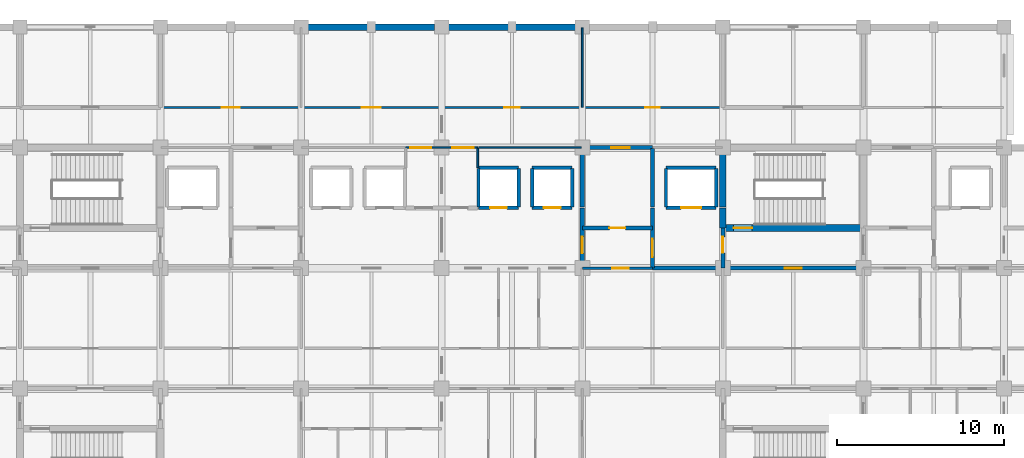
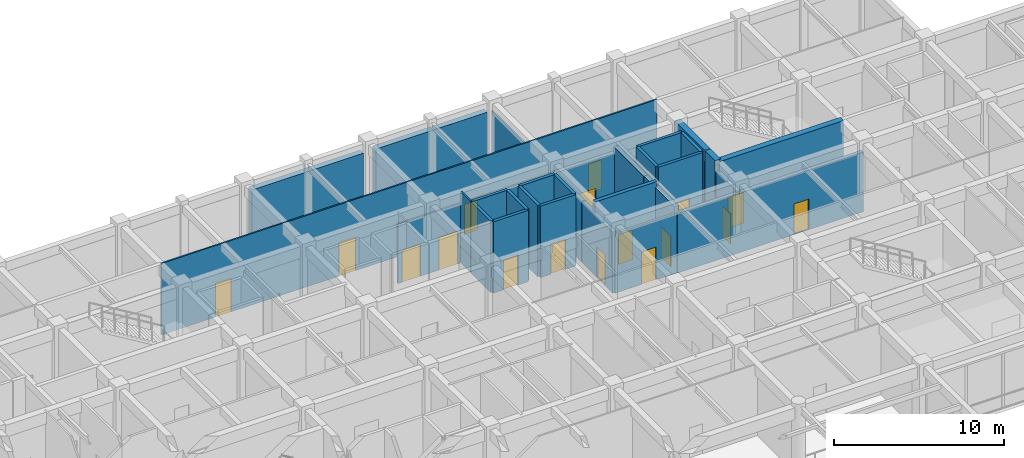
# One storey, part 43 of 58: 31 walls, 17 doors, 17 openings.
"""IFC4 building model written with IfcOpenShell, lengths in metres."""

from ifc_helpers import new_model, si_unit, direction, frame, frame_2d, origin, place, context, subcontext, project, spatial, rectangle, extrude, material, layer, layer_set, type_object, element, fill, save


model = new_model("IFC4")

# Units and contexts
model_context = context("Model", 3, precision=1e-05, world=origin(), true_north=direction((0.0, 1.0)))
body_context = subcontext(model_context, "Body", "Model", "MODEL_VIEW")
ifc_project = project(units=[si_unit("LENGTHUNIT", "METRE"), si_unit("AREAUNIT", "SQUARE_METRE"), si_unit("VOLUMEUNIT", "CUBIC_METRE"), si_unit("PLANEANGLEUNIT", "RADIAN"), si_unit("MASSUNIT", "GRAM", prefix="KILO")], contexts=[model_context])

# Site, building, storey
site_placement = place(None, origin())
site = spatial("IfcSite", under=ifc_project, at=site_placement, CompositionType="ELEMENT")
building_placement = place(site_placement, origin())
building = spatial("IfcBuilding", under=site, at=building_placement, Name="Chengyuan Square Courthouse", CompositionType="ELEMENT")
storey_placement = place(building_placement, frame((0.0, 0.0, 16.199951171875)))
storey = spatial("IfcBuildingStorey", under=building, at=storey_placement, Name="L04", CompositionType="ELEMENT", Elevation=16.199951171875)

# Walls
ifc_material_1 = material(Name="Concrete C40", Category="concrete")
ifc_layer_1 = layer(ifc_material_1, 0.3798828125)
ifc_layer_set_1 = layer_set([ifc_layer_1], Name="Concrete C40")
wall_type_1 = type_object("IfcWallType", Name="WL-EW1", PredefinedType="STANDARD", material=ifc_layer_set_1)
for number, where, z_axis, x_axis, name in (
    (1, (76.02001953125, 115.199951171875, 0.0), (0.0, 0.0, 1.0), (1.0, 0.0, 0.0), "Exterior Wall WL-L04-E318"),
    (2, (84.419921875, 115.199951171875, 0.0), (0.0, 0.0, 1.0), (1.0, 0.0, 0.0), "Exterior Wall WL-L04-E319"),
):
    element("IfcWall", number, at=place(storey_placement, frame(where, z_axis=z_axis, x_axis=x_axis)), inside=storey, type_object=wall_type_1, Name=name, PredefinedType="STANDARD", context=body_context, shape_type="SweptSolid", body=[
        extrude(rectangle(XDim=7.56005859375, YDim=0.3798828125, at=frame_2d((3.780029296875, 0.0))), origin(), (0.0, 0.0, 1.0), 4.469970703125),
    ])

# Wall, opening, door
ifc_layer_2 = layer(ifc_material_1, 0.25)
ifc_layer_set_2 = layer_set([ifc_layer_2], Name="Concrete C40")
wall_type_2 = type_object("IfcWallType", Name="WL-FW1", PredefinedType="STANDARD", material=ifc_layer_set_2)
wall_1_placement = place(storey_placement, frame((96.60009765625, 100.800048828125, 0.0), z_axis=(0.0, 0.0, 1.0), x_axis=(1.0, 0.0, 0.0)))
wall_1 = element("IfcWall", 3, at=wall_1_placement, inside=storey, type_object=wall_type_2, Name="Interior Wall WL-L04-I1849", PredefinedType="STANDARD", context=body_context, shape_type="SweptSolid", body=[
    extrude(rectangle(XDim=12.599853515625, YDim=0.25, at=frame_2d((6.2998046875, 0.0))), origin(), (0.0, 0.0, 1.0), 4.27001953125),
])
opening_1_placement = place(wall_1_placement, frame((7.89990234375, 0.0, 0.0)))
opening_1 = element("IfcOpeningElement", 4, at=opening_1_placement, cuts=wall_1, Name="Opening DR-1638", PredefinedType="OPENING", context=body_context, shape_type="SweptSolid", body=[
    extrude(rectangle(XDim=1.0, YDim=2.199951171875, at=frame_2d((0.5, 1.10009765625))), frame((0.0, 0.136962890625, 0.0), z_axis=(0.0, -1.0, 0.0), x_axis=(1.0, 0.0, 0.0)), (0.0, 0.0, 1.0), 0.27392578125),
])
ifc_material_2 = material(Name="Steel Q235B Fire Door", Category="steel")
door_type_1 = type_object("IfcDoorType", Name="DT-11", OperationType="NOTDEFINED", PredefinedType="DOOR", material=ifc_material_2)
door_1_placement = place(opening_1_placement, origin())
door_1 = element("IfcDoor", 5, at=door_1_placement, inside=storey, type_object=door_type_1, Name="Interior Door DR-1638", OperationType="SINGLE_SWING_RIGHT", OverallHeight=2.199951171875, OverallWidth=1.0, PredefinedType="DOOR", context=body_context, shape_type="SweptSolid", body=[
    extrude(rectangle(XDim=1.0, YDim=2.199951171875, at=frame_2d((0.5, 1.10009765625))), frame((0.0, 0.02490234375, 0.0), z_axis=(0.0, -1.0, 0.0), x_axis=(1.0, 0.0, 0.0)), (0.0, 0.0, 1.0), 0.050048828125),
])
fill(opening_1, door_1)

wall_2_placement = place(storey_placement, frame((92.39990234375, 103.199951171875, 0.0), z_axis=(0.0, 0.0, 1.0), x_axis=(1.0, 0.0, 0.0)))
wall_2 = element("IfcWall", 6, at=wall_2_placement, inside=storey, type_object=wall_type_2, Name="Interior Wall WL-L04-I1864", PredefinedType="STANDARD", context=body_context, shape_type="SweptSolid", body=[
    extrude(rectangle(XDim=4.2001953125, YDim=0.25, at=frame_2d((2.10009765625, 0.0))), origin(), (0.0, 0.0, 1.0), 5.1201171875),
])
opening_2_placement = place(wall_2_placement, frame((1.625, 0.0, 0.0)))
opening_2 = element("IfcOpeningElement", 7, at=opening_2_placement, cuts=wall_2, Name="Opening DR-1672", PredefinedType="OPENING", context=body_context, shape_type="SweptSolid", body=[
    extrude(rectangle(XDim=0.949951171875, YDim=2.14990234375, at=frame_2d((0.47509765625, 1.074951171875))), frame((0.0, 0.136962890625, 0.0), z_axis=(0.0, -1.0, 0.0), x_axis=(1.0, 0.0, 0.0)), (0.0, 0.0, 1.0), 0.27392578125),
])
door_type_2 = type_object("IfcDoorType", Name="DT-12", OperationType="NOTDEFINED", PredefinedType="DOOR", material=ifc_material_2)
door_2_placement = place(opening_2_placement, origin())
door_2 = element("IfcDoor", 8, at=door_2_placement, inside=storey, type_object=door_type_2, Name="Interior Door DR-1672", OperationType="SINGLE_SWING_RIGHT", OverallHeight=2.14990234375, OverallWidth=0.949951171875, PredefinedType="DOOR", context=body_context, shape_type="SweptSolid", body=[
    extrude(rectangle(XDim=0.949951171875, YDim=2.14990234375, at=frame_2d((0.47509765625, 1.074951171875))), frame((0.0, 0.02490234375, 0.0), z_axis=(0.0, -1.0, 0.0), x_axis=(1.0, 0.0, 0.0)), (0.0, 0.0, 1.0), 0.050048828125),
])
fill(opening_2, door_2)

wall_3_placement = place(storey_placement, frame((92.39990234375, 108.0, 0.0), z_axis=(0.0, 0.0, 1.0), x_axis=(1.0, 0.0, 0.0)))
wall_3 = element("IfcWall", 9, at=wall_3_placement, inside=storey, type_object=wall_type_2, Name="Interior Wall WL-L04-I1900", PredefinedType="STANDARD", context=body_context, shape_type="SweptSolid", body=[
    extrude(rectangle(XDim=4.2001953125, YDim=0.25, at=frame_2d((2.10009765625, 0.0))), origin(), (0.0, 0.0, 1.0), 4.27001953125),
])
opening_3_placement = place(wall_3_placement, frame((1.735107421875, 0.0, 0.0)))
opening_3 = element("IfcOpeningElement", 10, at=opening_3_placement, cuts=wall_3, Name="Opening DR-1676", PredefinedType="OPENING", context=body_context, shape_type="SweptSolid", body=[
    extrude(rectangle(XDim=1.10009765625, YDim=2.199951171875, at=frame_2d((0.550048828125, 1.10009765625))), frame((0.0, 0.136962890625, 0.0), z_axis=(0.0, -1.0, 0.0), x_axis=(1.0, 0.0, 0.0)), (0.0, 0.0, 1.0), 0.27392578125),
])
door_type_3 = type_object("IfcDoorType", Name="DT-10", OperationType="NOTDEFINED", PredefinedType="DOOR", material=ifc_material_2)
door_3_placement = place(opening_3_placement, origin())
door_3 = element("IfcDoor", 11, at=door_3_placement, inside=storey, type_object=door_type_3, Name="Interior Door DR-1676", OperationType="SINGLE_SWING_RIGHT", OverallHeight=2.199951171875, OverallWidth=1.10009765625, PredefinedType="DOOR", context=body_context, shape_type="SweptSolid", body=[
    extrude(rectangle(XDim=1.10009765625, YDim=2.199951171875, at=frame_2d((0.550048828125, 1.10009765625))), frame((0.0, 0.02490234375, 0.0), z_axis=(0.0, -1.0, 0.0), x_axis=(1.0, 0.0, 0.0)), (0.0, 0.0, 1.0), 0.050048828125),
])
fill(opening_3, door_3)

wall_4_placement = place(storey_placement, frame((92.39990234375, 100.800048828125, 0.0), z_axis=(0.0, 0.0, 1.0), x_axis=(0.0, 1.0, 0.0)))
wall_4 = element("IfcWall", 12, at=wall_4_placement, inside=storey, type_object=wall_type_2, Name="Interior Wall WL-L04-I2019", PredefinedType="STANDARD", context=body_context, shape_type="SweptSolid", body=[
    extrude(rectangle(XDim=3.599853515625, YDim=0.25, at=frame_2d((1.7998046875, 0.0))), origin(), (0.0, 0.0, 1.0), 4.3701171875),
])
opening_4_placement = place(wall_4_placement, frame((0.885009765625, 0.0, 0.0)))
opening_4 = element("IfcOpeningElement", 13, at=opening_4_placement, cuts=wall_4, Name="Opening DR-1674", PredefinedType="OPENING", context=body_context, shape_type="SweptSolid", body=[
    extrude(rectangle(XDim=1.0, YDim=2.199951171875, at=frame_2d((0.5, 1.10009765625))), frame((0.0, 0.136962890625, 0.0), z_axis=(0.0, -1.0, 0.0), x_axis=(1.0, 0.0, 0.0)), (0.0, 0.0, 1.0), 0.27392578125),
])
door_4_placement = place(opening_4_placement, origin())
door_4 = element("IfcDoor", 14, at=door_4_placement, inside=storey, type_object=door_type_1, Name="Interior Door DR-1674", OperationType="SINGLE_SWING_RIGHT", OverallHeight=2.199951171875, OverallWidth=1.0, PredefinedType="DOOR", context=body_context, shape_type="SweptSolid", body=[
    extrude(rectangle(XDim=1.0, YDim=2.199951171875, at=frame_2d((0.5, 1.10009765625))), frame((0.0, 0.02490234375, 0.0), z_axis=(0.0, -1.0, 0.0), x_axis=(1.0, 0.0, 0.0)), (0.0, 0.0, 1.0), 0.050048828125),
])
fill(opening_4, door_4)

# Wall
wall_5_placement = place(storey_placement, frame((92.39990234375, 104.449951171875, 0.0), z_axis=(0.0, 0.0, 1.0), x_axis=(0.0, 1.0, 0.0)))
element("IfcWall", 15, at=wall_5_placement, inside=storey, type_object=wall_type_2, Name="Interior Wall WL-L04-I2020", PredefinedType="STANDARD", context=body_context, shape_type="SweptSolid", body=[
    extrude(rectangle(XDim=3.5, YDim=0.25, at=frame_2d((1.75, 0.0))), origin(), (0.0, 0.0, 1.0), 4.3701171875),
])

# Wall, opening, door
wall_6_placement = place(storey_placement, frame((96.60009765625, 100.800048828125, 0.0), z_axis=(0.0, 0.0, 1.0), x_axis=(0.0, 1.0, 0.0)))
wall_6 = element("IfcWall", 16, at=wall_6_placement, inside=storey, type_object=wall_type_2, Name="Interior Wall WL-L04-I2024", PredefinedType="STANDARD", context=body_context, shape_type="SweptSolid", body=[
    extrude(rectangle(XDim=3.599853515625, YDim=0.25, at=frame_2d((1.7998046875, 0.0))), origin(), (0.0, 0.0, 1.0), 4.719970703125),
])
opening_5_placement = place(wall_6_placement, frame((0.64990234375, 0.0, 0.0)))
opening_5 = element("IfcOpeningElement", 17, at=opening_5_placement, cuts=wall_6, Name="Opening DR-1673", PredefinedType="OPENING", context=body_context, shape_type="SweptSolid", body=[
    extrude(rectangle(XDim=1.10009765625, YDim=2.199951171875, at=frame_2d((0.550048828125, 1.10009765625))), frame((0.0, 0.136962890625, 0.0), z_axis=(0.0, -1.0, 0.0), x_axis=(1.0, 0.0, 0.0)), (0.0, 0.0, 1.0), 0.27392578125),
])
door_5_placement = place(opening_5_placement, origin())
door_5 = element("IfcDoor", 18, at=door_5_placement, inside=storey, type_object=door_type_3, Name="Interior Door DR-1673", OperationType="SINGLE_SWING_LEFT", OverallHeight=2.199951171875, OverallWidth=1.10009765625, PredefinedType="DOOR", context=body_context, shape_type="SweptSolid", body=[
    extrude(rectangle(XDim=1.10009765625, YDim=2.199951171875, at=frame_2d((0.550048828125, 1.10009765625))), frame((0.0, 0.02490234375, 0.0), z_axis=(0.0, -1.0, 0.0), x_axis=(1.0, 0.0, 0.0)), (0.0, 0.0, 1.0), 0.050048828125),
])
fill(opening_5, door_5)

# Wall
wall_7_placement = place(storey_placement, frame((96.60009765625, 104.449951171875, 0.0), z_axis=(0.0, 0.0, 1.0), x_axis=(0.0, 1.0, 0.0)))
element("IfcWall", 19, at=wall_7_placement, inside=storey, type_object=wall_type_2, Name="Interior Wall WL-L04-I2025", PredefinedType="STANDARD", context=body_context, shape_type="SweptSolid", body=[
    extrude(rectangle(XDim=3.5, YDim=0.25, at=frame_2d((1.75, 0.0))), origin(), (0.0, 0.0, 1.0), 4.719970703125),
])

# Wall, opening, door
wall_8_placement = place(storey_placement, frame((100.800048828125, 100.800048828125, 0.0), z_axis=(0.0, 0.0, 1.0), x_axis=(0.0, 1.0, 0.0)))
wall_8 = element("IfcWall", 20, at=wall_8_placement, inside=storey, type_object=wall_type_2, Name="Interior Wall WL-L04-I2035", PredefinedType="STANDARD", context=body_context, shape_type="SweptSolid", body=[
    extrude(rectangle(XDim=2.39990234375, YDim=0.25, at=frame_2d((1.199951171875, 0.0))), origin(), (0.0, 0.0, 1.0), 4.3701171875),
])
opening_6_placement = place(wall_8_placement, frame((0.909912109375, 0.0, 0.0)))
opening_6 = element("IfcOpeningElement", 21, at=opening_6_placement, cuts=wall_8, Name="Opening DR-1636", PredefinedType="OPENING", context=body_context, shape_type="SweptSolid", body=[
    extrude(rectangle(XDim=0.949951171875, YDim=2.14990234375, at=frame_2d((0.47509765625, 1.074951171875))), frame((0.0, 0.136962890625, 0.0), z_axis=(0.0, -1.0, 0.0), x_axis=(1.0, 0.0, 0.0)), (0.0, 0.0, 1.0), 0.27392578125),
])
door_6_placement = place(opening_6_placement, origin())
door_6 = element("IfcDoor", 22, at=door_6_placement, inside=storey, type_object=door_type_2, Name="Interior Door DR-1636", OperationType="SINGLE_SWING_RIGHT", OverallHeight=2.14990234375, OverallWidth=0.949951171875, PredefinedType="DOOR", context=body_context, shape_type="SweptSolid", body=[
    extrude(rectangle(XDim=0.949951171875, YDim=2.14990234375, at=frame_2d((0.47509765625, 1.074951171875))), frame((0.0, 0.02490234375, 0.0), z_axis=(0.0, -1.0, 0.0), x_axis=(1.0, 0.0, 0.0)), (0.0, 0.0, 1.0), 0.050048828125),
])
fill(opening_6, door_6)

ifc_material_3 = material(Name="Deliberation Room Sound-Insulated Partition")
ifc_layer_3 = layer(ifc_material_3, 0.14990234375)
ifc_layer_set_3 = layer_set([ifc_layer_3], Name="Deliberation Room Sound-Insulated Partition")
wall_type_3 = type_object("IfcWallType", Name="WL-PT3", PredefinedType="STANDARD", material=ifc_layer_set_3)
wall_9_placement = place(storey_placement, frame((92.39990234375, 100.800048828125, 0.0), z_axis=(0.0, 0.0, 1.0), x_axis=(1.0, 0.0, 0.0)))
wall_9 = element("IfcWall", 23, at=wall_9_placement, inside=storey, type_object=wall_type_3, Name="Interior Wall WL-L04-I1848", PredefinedType="STANDARD", context=body_context, shape_type="SweptSolid", body=[
    extrude(rectangle(XDim=4.2001953125, YDim=0.14990234375, at=frame_2d((2.10009765625, 0.0))), origin(), (0.0, 0.0, 1.0), 4.27001953125),
])
opening_7_placement = place(wall_9_placement, frame((1.794921875, 0.0, 0.0)))
opening_7 = element("IfcOpeningElement", 24, at=opening_7_placement, cuts=wall_9, Name="Opening DR-1675", PredefinedType="OPENING", context=body_context, shape_type="SweptSolid", body=[
    extrude(rectangle(XDim=0.97998046875, YDim=2.35009765625, at=frame_2d((0.489990234375, 1.175048828125))), frame((0.0, 0.0869140625, 0.0), z_axis=(0.0, -1.0, 0.0), x_axis=(1.0, 0.0, 0.0)), (0.0, 0.0, 1.0), 0.173828125),
])
ifc_material_4 = material(Name="Acoustic Solid-Core Timber Door", Category="wood")
door_type_4 = type_object("IfcDoorType", Name="DT-40", OperationType="NOTDEFINED", PredefinedType="DOOR", material=ifc_material_4)
door_7_placement = place(opening_7_placement, origin())
door_7 = element("IfcDoor", 25, at=door_7_placement, inside=storey, type_object=door_type_4, Name="Interior Door DR-1675", OperationType="SINGLE_SWING_LEFT", OverallHeight=2.35009765625, OverallWidth=0.97998046875, PredefinedType="DOOR", context=body_context, shape_type="SweptSolid", body=[
    extrude(rectangle(XDim=0.97998046875, YDim=2.35009765625, at=frame_2d((0.489990234375, 1.175048828125))), frame((0.0, 0.02490234375, 0.0), z_axis=(0.0, -1.0, 0.0), x_axis=(1.0, 0.0, 0.0)), (0.0, 0.0, 1.0), 0.050048828125),
])
fill(opening_7, door_7)

# Wall, openings, doors
ifc_material_5 = material(Name="Gypsum Plasterboard Acoustic Stud Partition")
ifc_layer_4 = layer(ifc_material_5, 0.10009765625)
ifc_layer_set_4 = layer_set([ifc_layer_4], Name="Gypsum Plasterboard Acoustic Stud Partition")
wall_type_4 = type_object("IfcWallType", Name="WL-PT6", PredefinedType="STANDARD", material=ifc_layer_set_4)
wall_10_placement = place(storey_placement, frame((81.85009765625, 108.0, 0.0), z_axis=(0.0, 0.0, 1.0), x_axis=(1.0, 0.0, 0.0)))
wall_10 = element("IfcWall", 26, at=wall_10_placement, inside=storey, type_object=wall_type_4, Name="Interior Wall WL-L04-I1898", PredefinedType="STANDARD", context=body_context, shape_type="SweptSolid", body=[
    extrude(rectangle(XDim=4.2998046875, YDim=0.10009765625, at=frame_2d((2.14990234375, 0.0))), origin(), (0.0, 0.0, 1.0), 4.27001953125),
])
opening_8_placement = place(wall_10_placement, frame((0.27001953125, 0.0, 0.0)))
opening_8 = element("IfcOpeningElement", 27, at=opening_8_placement, cuts=wall_10, Name="Opening DR-1859", PredefinedType="OPENING", context=body_context, shape_type="SweptSolid", body=[
    extrude(rectangle(XDim=1.239990234375, YDim=2.300048828125, at=frame_2d((0.6201171875, 1.14990234375))), frame((0.0, 0.06201171875, 0.0), z_axis=(0.0, -1.0, 0.0), x_axis=(1.0, 0.0, 0.0)), (0.0, 0.0, 1.0), 0.1240234375),
])
opening_9_placement = place(wall_10_placement, frame((2.77001953125, 0.0, 0.0)))
opening_9 = element("IfcOpeningElement", 28, at=opening_9_placement, cuts=wall_10, Name="Opening DR-1860", PredefinedType="OPENING", context=body_context, shape_type="SweptSolid", body=[
    extrude(rectangle(XDim=1.280029296875, YDim=2.35009765625, at=frame_2d((0.64013671875, 1.175048828125))), frame((0.0, 0.06201171875, 0.0), z_axis=(0.0, -1.0, 0.0), x_axis=(1.0, 0.0, 0.0)), (0.0, 0.0, 1.0), 0.1240234375),
])
door_type_5 = type_object("IfcDoorType", Name="DT-37", OperationType="NOTDEFINED", PredefinedType="DOOR", material=ifc_material_4)
door_8_placement = place(opening_8_placement, origin())
door_8 = element("IfcDoor", 29, at=door_8_placement, inside=storey, type_object=door_type_5, Name="Interior Door DR-1859", OperationType="SINGLE_SWING_RIGHT", OverallHeight=2.300048828125, OverallWidth=1.239990234375, PredefinedType="DOOR", context=body_context, shape_type="SweptSolid", body=[
    extrude(rectangle(XDim=1.239990234375, YDim=2.300048828125, at=frame_2d((0.6201171875, 1.14990234375))), frame((0.0, 0.02490234375, 0.0), z_axis=(0.0, -1.0, 0.0), x_axis=(1.0, 0.0, 0.0)), (0.0, 0.0, 1.0), 0.050048828125),
])
fill(opening_8, door_8)
door_type_6 = type_object("IfcDoorType", Name="DT-38", OperationType="NOTDEFINED", PredefinedType="DOOR", material=ifc_material_4)
door_9_placement = place(opening_9_placement, origin())
door_9 = element("IfcDoor", 30, at=door_9_placement, inside=storey, type_object=door_type_6, Name="Interior Door DR-1860", OperationType="SINGLE_SWING_LEFT", OverallHeight=2.35009765625, OverallWidth=1.280029296875, PredefinedType="DOOR", context=body_context, shape_type="SweptSolid", body=[
    extrude(rectangle(XDim=1.280029296875, YDim=2.35009765625, at=frame_2d((0.64013671875, 1.175048828125))), frame((0.0, 0.02490234375, 0.0), z_axis=(0.0, -1.0, 0.0), x_axis=(1.0, 0.0, 0.0)), (0.0, 0.0, 1.0), 0.050048828125),
])
fill(opening_9, door_9)

# Wall
wall_11_placement = place(storey_placement, frame((86.199951171875, 108.0, 0.0), z_axis=(0.0, 0.0, 1.0), x_axis=(1.0, 0.0, 0.0)))
element("IfcWall", 31, at=wall_11_placement, inside=storey, type_object=wall_type_4, Name="Interior Wall WL-L04-I1899", PredefinedType="STANDARD", context=body_context, shape_type="SweptSolid", body=[
    extrude(rectangle(XDim=6.150146484375, YDim=0.10009765625, at=frame_2d((3.0751953125, 0.0))), origin(), (0.0, 0.0, 1.0), 4.27001953125),
])

# Wall, openings, doors
wall_12_placement = place(storey_placement, frame((67.199951171875, 110.39990234375, 0.0), z_axis=(0.0, 0.0, 1.0), x_axis=(1.0, 0.0, 0.0)))
wall_12 = element("IfcWall", 32, at=wall_12_placement, inside=storey, type_object=wall_type_4, Name="Interior Wall WL-L04-I1907", PredefinedType="STANDARD", context=body_context, shape_type="SweptSolid", body=[
    extrude(rectangle(XDim=33.60009765625, YDim=0.10009765625, at=frame_2d((16.800048828125, 0.0))), origin(), (0.0, 0.0, 1.0), 5.1201171875),
])
opening_10_placement = place(wall_12_placement, frame((3.669921875, 0.0, 0.0)))
opening_10 = element("IfcOpeningElement", 33, at=opening_10_placement, cuts=wall_12, Name="Opening DR-1864", PredefinedType="OPENING", context=body_context, shape_type="SweptSolid", body=[
    extrude(rectangle(XDim=1.06005859375, YDim=2.39990234375, at=frame_2d((0.530029296875, 1.199951171875))), frame((0.0, 0.06201171875, 0.0), z_axis=(0.0, -1.0, 0.0), x_axis=(1.0, 0.0, 0.0)), (0.0, 0.0, 1.0), 0.1240234375),
])
opening_11_placement = place(wall_12_placement, frame((12.030029296875, 0.0, 0.0)))
opening_11 = element("IfcOpeningElement", 34, at=opening_11_placement, cuts=wall_12, Name="Opening DR-1865", PredefinedType="OPENING", context=body_context, shape_type="SweptSolid", body=[
    extrude(rectangle(XDim=1.139892578125, YDim=2.39990234375, at=frame_2d((0.56982421875, 1.199951171875))), frame((0.0, 0.06201171875, 0.0), z_axis=(0.0, -1.0, 0.0), x_axis=(1.0, 0.0, 0.0)), (0.0, 0.0, 1.0), 0.1240234375),
])
opening_12_placement = place(wall_12_placement, frame((20.550048828125, 0.0, 0.0)))
opening_12 = element("IfcOpeningElement", 35, at=opening_12_placement, cuts=wall_12, Name="Opening DR-1866", PredefinedType="OPENING", context=body_context, shape_type="SweptSolid", body=[
    extrude(rectangle(XDim=0.89990234375, YDim=2.14990234375, at=frame_2d((0.449951171875, 1.074951171875))), frame((0.0, 0.06201171875, 0.0), z_axis=(0.0, -1.0, 0.0), x_axis=(1.0, 0.0, 0.0)), (0.0, 0.0, 1.0), 0.1240234375),
])
opening_13_placement = place(wall_12_placement, frame((28.969970703125, 0.0, 0.0)))
opening_13 = element("IfcOpeningElement", 36, at=opening_13_placement, cuts=wall_12, Name="Opening DR-1867", PredefinedType="OPENING", context=body_context, shape_type="SweptSolid", body=[
    extrude(rectangle(XDim=0.860107421875, YDim=2.10009765625, at=frame_2d((0.43017578125, 1.050048828125))), frame((0.0, 0.06201171875, 0.0), z_axis=(0.0, -1.0, 0.0), x_axis=(1.0, 0.0, 0.0)), (0.0, 0.0, 1.0), 0.1240234375),
])
door_type_7 = type_object("IfcDoorType", Name="DT-27", OperationType="NOTDEFINED", PredefinedType="DOOR", material=ifc_material_4)
door_10_placement = place(opening_12_placement, origin())
door_10 = element("IfcDoor", 37, at=door_10_placement, inside=storey, type_object=door_type_7, Name="Interior Door DR-1866", OperationType="SINGLE_SWING_LEFT", OverallHeight=2.14990234375, OverallWidth=0.89990234375, PredefinedType="DOOR", context=body_context, shape_type="SweptSolid", body=[
    extrude(rectangle(XDim=0.89990234375, YDim=2.14990234375, at=frame_2d((0.449951171875, 1.074951171875))), frame((0.0, 0.02490234375, 0.0), z_axis=(0.0, -1.0, 0.0), x_axis=(1.0, 0.0, 0.0)), (0.0, 0.0, 1.0), 0.050048828125),
])
fill(opening_12, door_10)
door_type_8 = type_object("IfcDoorType", Name="DT-28", OperationType="NOTDEFINED", PredefinedType="DOOR", material=ifc_material_4)
door_11_placement = place(opening_13_placement, origin())
door_11 = element("IfcDoor", 38, at=door_11_placement, inside=storey, type_object=door_type_8, Name="Interior Door DR-1867", OperationType="SINGLE_SWING_RIGHT", OverallHeight=2.10009765625, OverallWidth=0.860107421875, PredefinedType="DOOR", context=body_context, shape_type="SweptSolid", body=[
    extrude(rectangle(XDim=0.860107421875, YDim=2.10009765625, at=frame_2d((0.43017578125, 1.050048828125))), frame((0.0, 0.02490234375, 0.0), z_axis=(0.0, -1.0, 0.0), x_axis=(1.0, 0.0, 0.0)), (0.0, 0.0, 1.0), 0.050048828125),
])
fill(opening_13, door_11)
door_type_9 = type_object("IfcDoorType", Name="DT-42", OperationType="NOTDEFINED", PredefinedType="DOOR", material=ifc_material_4)
door_12_placement = place(opening_10_placement, origin())
door_12 = element("IfcDoor", 39, at=door_12_placement, inside=storey, type_object=door_type_9, Name="Interior Door DR-1864", OperationType="SINGLE_SWING_LEFT", OverallHeight=2.39990234375, OverallWidth=1.06005859375, PredefinedType="DOOR", context=body_context, shape_type="SweptSolid", body=[
    extrude(rectangle(XDim=1.06005859375, YDim=2.39990234375, at=frame_2d((0.530029296875, 1.199951171875))), frame((0.0, 0.02490234375, 0.0), z_axis=(0.0, -1.0, 0.0), x_axis=(1.0, 0.0, 0.0)), (0.0, 0.0, 1.0), 0.050048828125),
])
fill(opening_10, door_12)
door_type_10 = type_object("IfcDoorType", Name="DT-43", OperationType="NOTDEFINED", PredefinedType="DOOR", material=ifc_material_4)
door_13_placement = place(opening_11_placement, origin())
door_13 = element("IfcDoor", 40, at=door_13_placement, inside=storey, type_object=door_type_10, Name="Interior Door DR-1865", OperationType="SINGLE_SWING_RIGHT", OverallHeight=2.39990234375, OverallWidth=1.139892578125, PredefinedType="DOOR", context=body_context, shape_type="SweptSolid", body=[
    extrude(rectangle(XDim=1.139892578125, YDim=2.39990234375, at=frame_2d((0.56982421875, 1.199951171875))), frame((0.0, 0.02490234375, 0.0), z_axis=(0.0, -1.0, 0.0), x_axis=(1.0, 0.0, 0.0)), (0.0, 0.0, 1.0), 0.050048828125),
])
fill(opening_11, door_13)

# Walls
wall_13_placement = place(storey_placement, frame((86.14990234375, 106.800048828125, 0.0), z_axis=(0.0, 0.0, 1.0), x_axis=(0.0, 1.0, 0.0)))
element("IfcWall", 41, at=wall_13_placement, inside=storey, type_object=wall_type_4, Name="Interior Wall WL-L04-I2006", PredefinedType="STANDARD", context=body_context, shape_type="SweptSolid", body=[
    extrude(rectangle(XDim=1.14990234375, YDim=0.10009765625, at=frame_2d((0.574951171875, 0.0))), origin(), (0.0, 0.0, 1.0), 5.1201171875),
])
wall_14_placement = place(storey_placement, frame((92.39990234375, 110.39990234375, 0.0), z_axis=(0.0, 0.0, 1.0), x_axis=(0.0, 1.0, 0.0)))
element("IfcWall", 42, at=wall_14_placement, inside=storey, type_object=wall_type_4, Name="Interior Wall WL-L04-I2021", PredefinedType="STANDARD", context=body_context, shape_type="SweptSolid", body=[
    extrude(rectangle(XDim=4.760009765625, YDim=0.10009765625, at=frame_2d((2.3798828125, 0.0))), origin(), (0.0, 0.0, 1.0), 4.3701171875),
])

# Wall, opening, door
ifc_material_6 = material(Name="Reinforced Masonry Shaft Enclosure", Category="masonry")
ifc_layer_5 = layer(ifc_material_6, 0.199951171875)
ifc_layer_set_5 = layer_set([ifc_layer_5], Name="Reinforced Masonry Shaft Enclosure")
wall_type_5 = type_object("IfcWallType", Name="WL-SH1", PredefinedType="STANDARD", material=ifc_layer_set_5)
wall_15_placement = place(storey_placement, frame((86.199951171875, 104.39990234375, 0.0), z_axis=(0.0, 0.0, 1.0), x_axis=(1.0, 0.0, 0.0)))
wall_15 = element("IfcWall", 43, at=wall_15_placement, inside=storey, type_object=wall_type_5, Name="Interior Wall WL-L04-I1876", PredefinedType="STANDARD", context=body_context, shape_type="SweptSolid", body=[
    extrude(rectangle(XDim=2.400146484375, YDim=0.199951171875, at=frame_2d((1.2001953125, 0.0))), origin(), (0.0, 0.0, 1.0), 5.1201171875),
])
opening_14_placement = place(wall_15_placement, frame((0.699951171875, 0.0, 0.0)))
opening_14 = element("IfcOpeningElement", 44, at=opening_14_placement, cuts=wall_15, Name="Opening LD-075", PredefinedType="OPENING", context=body_context, shape_type="SweptSolid", body=[
    extrude(rectangle(XDim=1.0, YDim=2.14990234375, at=frame_2d((0.5, 1.074951171875))), frame((0.0, 0.112060546875, 0.0), z_axis=(0.0, -1.0, 0.0), x_axis=(1.0, 0.0, 0.0)), (0.0, 0.0, 1.0), 0.223876953125),
])
ifc_material_7 = material(Name="Stainless Steel S30408 Lift Landing Door", Category="steel")
door_type_11 = type_object("IfcDoorType", Name="DT-07", OperationType="DOUBLE_DOOR_SLIDING", PredefinedType="DOOR", material=ifc_material_7)
door_14_placement = place(opening_14_placement, origin())
door_14 = element("IfcDoor", 45, at=door_14_placement, inside=storey, type_object=door_type_11, Name="Lift Landing Door LF-J3 L04", OperationType="DOUBLE_DOOR_SLIDING", OverallHeight=2.14990234375, OverallWidth=1.0, PredefinedType="DOOR", context=body_context, shape_type="SweptSolid", body=[
    extrude(rectangle(XDim=1.0, YDim=2.14990234375, at=frame_2d((0.5, 1.074951171875))), frame((0.0, 0.02490234375, 0.0), z_axis=(0.0, -1.0, 0.0), x_axis=(1.0, 0.0, 0.0)), (0.0, 0.0, 1.0), 0.050048828125),
])
fill(opening_14, door_14)

wall_16_placement = place(storey_placement, frame((89.39990234375, 104.39990234375, 0.0), z_axis=(0.0, 0.0, 1.0), x_axis=(1.0, 0.0, 0.0)))
wall_16 = element("IfcWall", 46, at=wall_16_placement, inside=storey, type_object=wall_type_5, Name="Interior Wall WL-L04-I1877", PredefinedType="STANDARD", context=body_context, shape_type="SweptSolid", body=[
    extrude(rectangle(XDim=2.400146484375, YDim=0.199951171875, at=frame_2d((1.2001953125, 0.0))), origin(), (0.0, 0.0, 1.0), 5.1201171875),
])
opening_15_placement = place(wall_16_placement, frame((0.699951171875, 0.0, 0.0)))
opening_15 = element("IfcOpeningElement", 47, at=opening_15_placement, cuts=wall_16, Name="Opening LD-076", PredefinedType="OPENING", context=body_context, shape_type="SweptSolid", body=[
    extrude(rectangle(XDim=1.0, YDim=2.14990234375, at=frame_2d((0.5, 1.074951171875))), frame((0.0, 0.112060546875, 0.0), z_axis=(0.0, -1.0, 0.0), x_axis=(1.0, 0.0, 0.0)), (0.0, 0.0, 1.0), 0.223876953125),
])
door_15_placement = place(opening_15_placement, origin())
door_15 = element("IfcDoor", 48, at=door_15_placement, inside=storey, type_object=door_type_11, Name="Lift Landing Door LF-J4 L04", OperationType="DOUBLE_DOOR_SLIDING", OverallHeight=2.14990234375, OverallWidth=1.0, PredefinedType="DOOR", context=body_context, shape_type="SweptSolid", body=[
    extrude(rectangle(XDim=1.0, YDim=2.14990234375, at=frame_2d((0.5, 1.074951171875))), frame((0.0, 0.02490234375, 0.0), z_axis=(0.0, -1.0, 0.0), x_axis=(1.0, 0.0, 0.0)), (0.0, 0.0, 1.0), 0.050048828125),
])
fill(opening_15, door_15)

wall_17_placement = place(storey_placement, frame((97.39990234375, 104.39990234375, 0.0), z_axis=(0.0, 0.0, 1.0), x_axis=(1.0, 0.0, 0.0)))
wall_17 = element("IfcWall", 49, at=wall_17_placement, inside=storey, type_object=wall_type_5, Name="Interior Wall WL-L04-I1878", PredefinedType="STANDARD", context=body_context, shape_type="SweptSolid", body=[
    extrude(rectangle(XDim=3.0, YDim=0.199951171875, at=frame_2d((1.5, 0.0))), origin(), (0.0, 0.0, 1.0), 5.1201171875),
])
opening_16_placement = place(wall_17_placement, frame((0.89990234375, 0.0, 0.0)))
opening_16 = element("IfcOpeningElement", 50, at=opening_16_placement, cuts=wall_17, Name="Opening LD-070", PredefinedType="OPENING", context=body_context, shape_type="SweptSolid", body=[
    extrude(rectangle(XDim=1.199951171875, YDim=2.14990234375, at=frame_2d((0.60009765625, 1.074951171875))), frame((0.0, 0.112060546875, 0.0), z_axis=(0.0, -1.0, 0.0), x_axis=(1.0, 0.0, 0.0)), (0.0, 0.0, 1.0), 0.223876953125),
])
door_type_12 = type_object("IfcDoorType", Name="DT-05", OperationType="DOUBLE_DOOR_SLIDING", PredefinedType="DOOR", material=ifc_material_7)
door_16_placement = place(opening_16_placement, origin())
door_16 = element("IfcDoor", 51, at=door_16_placement, inside=storey, type_object=door_type_12, Name="Lift Landing Door LF-F2 L04", OperationType="DOUBLE_DOOR_SLIDING", OverallHeight=2.14990234375, OverallWidth=1.199951171875, PredefinedType="DOOR", context=body_context, shape_type="SweptSolid", body=[
    extrude(rectangle(XDim=1.199951171875, YDim=2.14990234375, at=frame_2d((0.60009765625, 1.074951171875))), frame((0.0, 0.02490234375, 0.0), z_axis=(0.0, -1.0, 0.0), x_axis=(1.0, 0.0, 0.0)), (0.0, 0.0, 1.0), 0.050048828125),
])
fill(opening_16, door_16)

# Walls
for number, where, z_axis, x_axis, name in (
    (52, (86.199951171875, 106.800048828125, 0.0), (0.0, 0.0, 1.0), (1.0, 0.0, 0.0), "Interior Wall WL-L04-I1887"),
    (53, (89.39990234375, 106.800048828125, 0.0), (0.0, 0.0, 1.0), (1.0, 0.0, 0.0), "Interior Wall WL-L04-I1888"),
):
    element("IfcWall", number, at=place(storey_placement, frame(where, z_axis=z_axis, x_axis=x_axis)), inside=storey, type_object=wall_type_5, Name=name, PredefinedType="STANDARD", context=body_context, shape_type="SweptSolid", body=[
        extrude(rectangle(XDim=2.400146484375, YDim=0.199951171875, at=frame_2d((1.2001953125, 0.0))), origin(), (0.0, 0.0, 1.0), 5.1201171875),
    ])
wall_18_placement = place(storey_placement, frame((97.39990234375, 106.800048828125, 0.0), z_axis=(0.0, 0.0, 1.0), x_axis=(1.0, 0.0, 0.0)))
element("IfcWall", 54, at=wall_18_placement, inside=storey, type_object=wall_type_5, Name="Interior Wall WL-L04-I1889", PredefinedType="STANDARD", context=body_context, shape_type="SweptSolid", body=[
    extrude(rectangle(XDim=3.0, YDim=0.199951171875, at=frame_2d((1.5, 0.0))), origin(), (0.0, 0.0, 1.0), 5.1201171875),
])
for number, where, z_axis, x_axis, name in (
    (55, (86.199951171875, 104.449951171875, 0.0), (0.0, 0.0, 1.0), (0.0, 1.0, 0.0), "Interior Wall WL-L04-I2007"),
    (56, (88.60009765625, 104.449951171875, 0.0), (0.0, 0.0, 1.0), (0.0, 1.0, 0.0), "Interior Wall WL-L04-I2010"),
    (57, (89.39990234375, 104.449951171875, 0.0), (0.0, 0.0, 1.0), (0.0, 1.0, 0.0), "Interior Wall WL-L04-I2011"),
    (58, (91.800048828125, 104.449951171875, 0.0), (0.0, 0.0, 1.0), (0.0, 1.0, 0.0), "Interior Wall WL-L04-I2014"),
    (59, (97.39990234375, 104.449951171875, 0.0), (0.0, 0.0, 1.0), (0.0, 1.0, 0.0), "Interior Wall WL-L04-I2026"),
    (60, (100.39990234375, 104.449951171875, 0.0), (0.0, 0.0, 1.0), (0.0, 1.0, 0.0), "Interior Wall WL-L04-I2029"),
):
    element("IfcWall", number, at=place(storey_placement, frame(where, z_axis=z_axis, x_axis=x_axis)), inside=storey, type_object=wall_type_5, Name=name, PredefinedType="STANDARD", context=body_context, shape_type="SweptSolid", body=[
        extrude(rectangle(XDim=2.300048828125, YDim=0.199951171875, at=frame_2d((1.14990234375, 0.0))), origin(), (0.0, 0.0, 1.0), 5.1201171875),
    ])

# Wall, opening, door
ifc_material_8 = material(Name="Concrete C50", Category="concrete")
ifc_layer_6 = layer(ifc_material_8, 0.39990234375)
ifc_layer_set_6 = layer_set([ifc_layer_6], Name="Concrete C50")
wall_type_6 = type_object("IfcWallType", Name="WL-SW1", PredefinedType="SHEAR", material=ifc_layer_set_6)
wall_19_placement = place(storey_placement, frame((100.800048828125, 103.199951171875, 0.0), z_axis=(0.0, 0.0, 1.0), x_axis=(1.0, 0.0, 0.0)))
wall_19 = element("IfcWall", 61, at=wall_19_placement, inside=storey, type_object=wall_type_6, Name="Interior Wall WL-L04-I1865", PredefinedType="SHEAR", context=body_context, shape_type="SweptSolid", body=[
    extrude(rectangle(XDim=8.39990234375, YDim=0.39990234375, at=frame_2d((4.199951171875, 0.0))), origin(), (0.0, 0.0, 1.0), 5.1201171875),
])
opening_17_placement = place(wall_19_placement, frame((0.64990234375, 0.0, 0.0)))
opening_17 = element("IfcOpeningElement", 62, at=opening_17_placement, cuts=wall_19, Name="Opening DR-1624", PredefinedType="OPENING", context=body_context, shape_type="SweptSolid", body=[
    extrude(rectangle(XDim=1.10009765625, YDim=2.199951171875, at=frame_2d((0.550048828125, 1.10009765625))), frame((0.0, 0.2119140625, 0.0), z_axis=(0.0, -1.0, 0.0), x_axis=(1.0, 0.0, 0.0)), (0.0, 0.0, 1.0), 0.423828125),
])
door_17_placement = place(opening_17_placement, origin())
door_17 = element("IfcDoor", 63, at=door_17_placement, inside=storey, type_object=door_type_3, Name="Smoke-Proof Stairwell Fire Door ST-2 DR-1624", OperationType="SINGLE_SWING_RIGHT", OverallHeight=2.199951171875, OverallWidth=1.10009765625, PredefinedType="DOOR", context=body_context, shape_type="SweptSolid", body=[
    extrude(rectangle(XDim=1.10009765625, YDim=2.199951171875, at=frame_2d((0.550048828125, 1.10009765625))), frame((0.0, 0.02490234375, 0.0), z_axis=(0.0, -1.0, 0.0), x_axis=(1.0, 0.0, 0.0)), (0.0, 0.0, 1.0), 0.050048828125),
])
fill(opening_17, door_17)

# Walls
wall_20_placement = place(storey_placement, frame((100.800048828125, 103.199951171875, 0.0), z_axis=(0.0, 0.0, 1.0), x_axis=(0.0, 1.0, 0.0)))
element("IfcWall", 64, at=wall_20_placement, inside=storey, type_object=wall_type_6, Name="Interior Wall WL-L04-I2036", PredefinedType="SHEAR", context=body_context, shape_type="SweptSolid", body=[
    extrude(rectangle(XDim=1.199951171875, YDim=0.39990234375, at=frame_2d((0.60009765625, 0.0))), origin(), (0.0, 0.0, 1.0), 5.1201171875),
])
wall_21_placement = place(storey_placement, frame((100.800048828125, 104.449951171875, 0.0), z_axis=(0.0, 0.0, 1.0), x_axis=(0.0, 1.0, 0.0)))
element("IfcWall", 65, at=wall_21_placement, inside=storey, type_object=wall_type_6, Name="Interior Wall WL-L04-I2037", PredefinedType="SHEAR", context=body_context, shape_type="SweptSolid", body=[
    extrude(rectangle(XDim=3.5, YDim=0.39990234375, at=frame_2d((1.75, 0.0))), origin(), (0.0, 0.0, 1.0), 5.1201171875),
])

save(model, "model.ifc")
